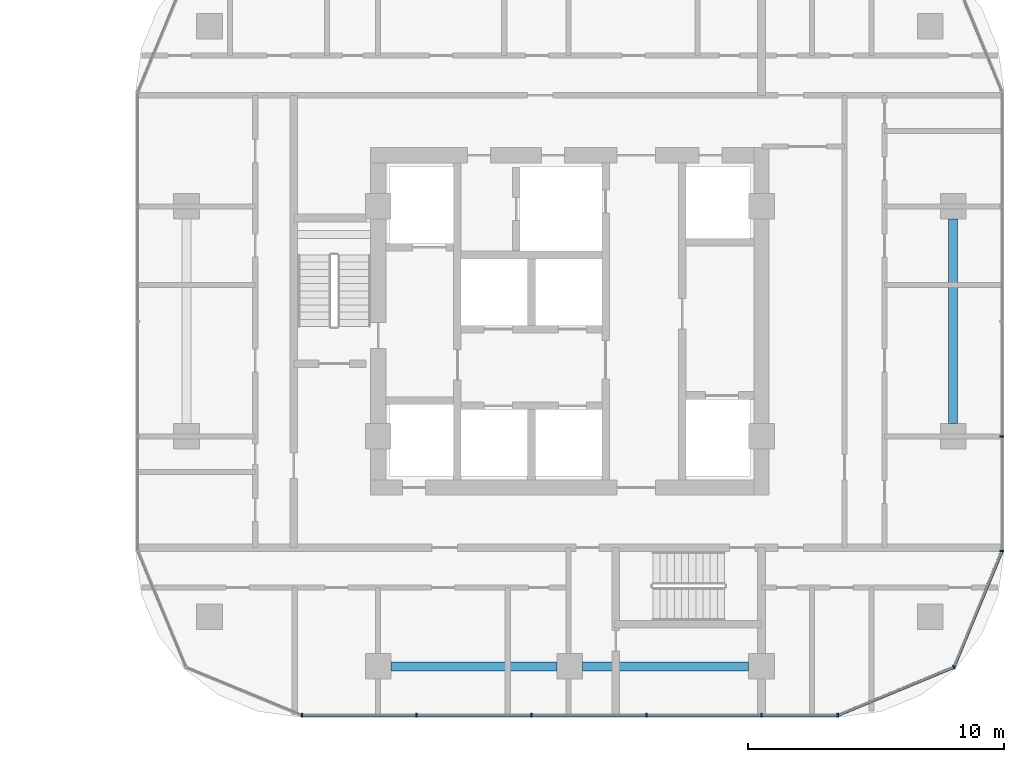
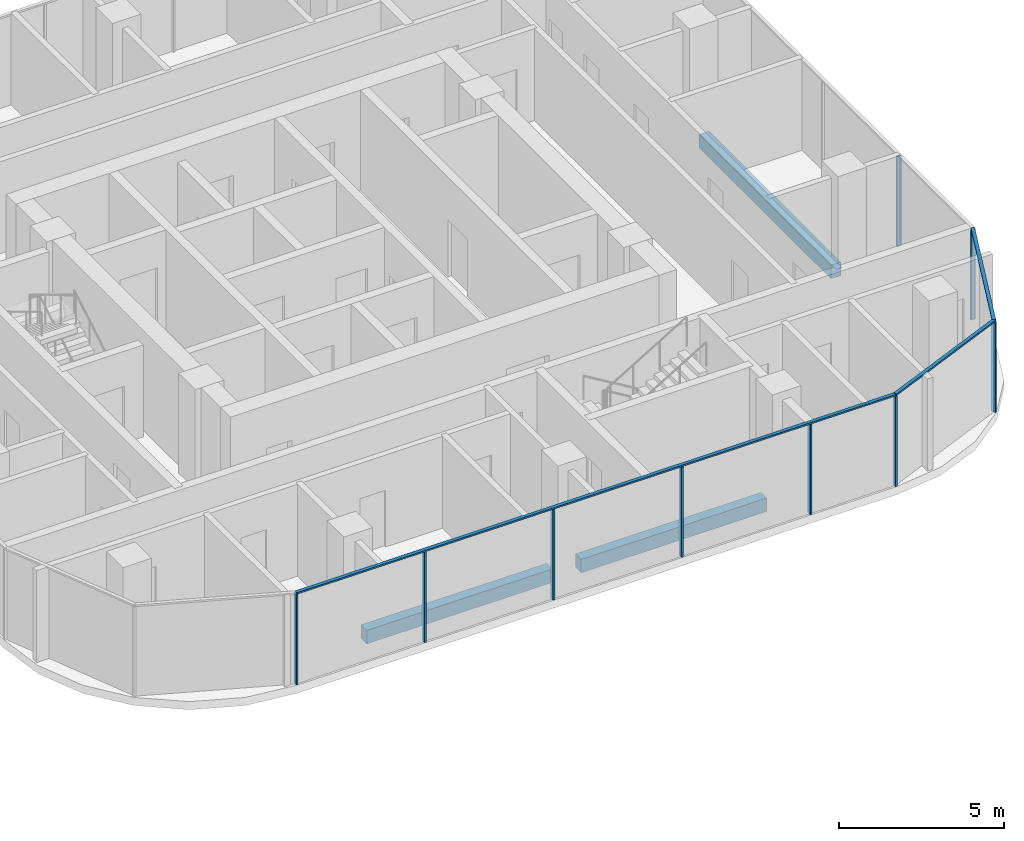
# One storey, part 10 of 32: 12 members, 3 beams, 3 elements without a shape of their own.
"""IFC4 building model written with IfcOpenShell, lengths in metres."""

from ifc_helpers import new_model, si_unit, direction, frame, origin, origin_2d, place, context, subcontext, project, spatial, rectangle, extrude, material, material_profile, profile_set, type_object, element, aggregate, save


model = new_model("IFC4")

# Units and contexts
model_context = context("Model", 3, precision=1e-05, world=origin(), true_north=direction((0.0, 1.0)))
body_context = subcontext(model_context, "Body", "Model", "MODEL_VIEW")
ifc_project = project(units=[si_unit("LENGTHUNIT", "METRE"), si_unit("AREAUNIT", "SQUARE_METRE"), si_unit("VOLUMEUNIT", "CUBIC_METRE"), si_unit("PLANEANGLEUNIT", "RADIAN"), si_unit("MASSUNIT", "GRAM", prefix="KILO")], contexts=[model_context])

# Site, building, storey
site_placement = place(None, origin())
site = spatial("IfcSite", under=ifc_project, at=site_placement, CompositionType="ELEMENT")
building_placement = place(site_placement, origin())
building = spatial("IfcBuilding", under=site, at=building_placement, Name="Ogive Portal Towers", CompositionType="ELEMENT")
storey_placement = place(building_placement, frame((0.0, 0.0, 55.699951171875)))
storey = spatial("IfcBuildingStorey", under=building, at=storey_placement, Name="L12", CompositionType="ELEMENT", Elevation=55.699951171875)

# Curtain wall, members
ifc_material_1 = material(Name="Glass, clear low-iron insulated glazing", Category="glass")
curtain_wall_type = type_object("IfcCurtainWallType", Name="CW RESIDENCES RIBBON", PredefinedType="NOTDEFINED", material=ifc_material_1)
curtain_wall_1_placement = place(storey_placement, origin())
curtain_wall_1 = element("IfcCurtainWall", 1, at=curtain_wall_1_placement, inside=storey, type_object=curtain_wall_type, Name="B:L12:f02:cw0", PredefinedType="NOTDEFINED")
ifc_material_2 = material(Name="Aluminium 6063 anodised", Category="aluminium")
ifc_material_profile_1 = material_profile(ifc_material_2, rectangle(XDim=0.159912109375, YDim=0.06005859375, at=origin_2d()), Name="AL 60x160")
ifc_profile_set_1 = profile_set([ifc_material_profile_1], Name="Aluminium 6063 anodised")
member_type_1 = type_object("IfcMemberType", Name="CW MULLION 60x160", PredefinedType="MULLION", material=ifc_profile_set_1)
member_1_placement = place(storey_placement, frame((126.015869140625, 15.590087890625, 0.0), z_axis=(0.0, 0.0, 1.0), x_axis=(0.0, 1.0, 0.0)))
member_1 = element("IfcMember", 2, at=member_1_placement, type_object=member_type_1, Name="mullion", PredefinedType="MULLION", context=body_context, shape_type="SweptSolid", body=[
    extrude(rectangle(XDim=0.159912109375, YDim=0.06005859375, at=origin_2d()), origin(), (0.0, 0.0, 1.0), 3.340087890625),
])
member_2_placement = place(storey_placement, frame((130.5, 15.590087890625, 0.0), z_axis=(0.0, 0.0, 1.0), x_axis=(0.0, 1.0, 0.0)))
member_2 = element("IfcMember", 3, at=member_2_placement, type_object=member_type_1, Name="mullion", PredefinedType="MULLION", context=body_context, shape_type="SweptSolid", body=[
    extrude(rectangle(XDim=0.159912109375, YDim=0.06005859375, at=origin_2d()), origin(), (0.0, 0.0, 1.0), 3.340087890625),
])
member_3_placement = place(storey_placement, frame((135.0, 15.590087890625, 0.0), z_axis=(0.0, 0.0, 1.0), x_axis=(0.0, 1.0, 0.0)))
member_3 = element("IfcMember", 4, at=member_3_placement, type_object=member_type_1, Name="mullion", PredefinedType="MULLION", context=body_context, shape_type="SweptSolid", body=[
    extrude(rectangle(XDim=0.159912109375, YDim=0.06005859375, at=origin_2d()), origin(), (0.0, 0.0, 1.0), 3.340087890625),
])
member_4_placement = place(storey_placement, frame((139.5, 15.590087890625, 0.0), z_axis=(0.0, 0.0, 1.0), x_axis=(0.0, 1.0, 0.0)))
member_4 = element("IfcMember", 5, at=member_4_placement, type_object=member_type_1, Name="mullion", PredefinedType="MULLION", context=body_context, shape_type="SweptSolid", body=[
    extrude(rectangle(XDim=0.159912109375, YDim=0.06005859375, at=origin_2d()), origin(), (0.0, 0.0, 1.0), 3.340087890625),
])
member_5_placement = place(storey_placement, frame((144.0, 15.590087890625, 0.0), z_axis=(0.0, 0.0, 1.0), x_axis=(0.0, 1.0, 0.0)))
member_5 = element("IfcMember", 6, at=member_5_placement, type_object=member_type_1, Name="mullion", PredefinedType="MULLION", context=body_context, shape_type="SweptSolid", body=[
    extrude(rectangle(XDim=0.159912109375, YDim=0.06005859375, at=origin_2d()), origin(), (0.0, 0.0, 1.0), 3.340087890625),
])
member_6_placement = place(storey_placement, frame((146.984130859375, 15.590087890625, 0.0), z_axis=(0.0, 0.0, 1.0), x_axis=(0.0, 1.0, 0.0)))
member_6 = element("IfcMember", 7, at=member_6_placement, type_object=member_type_1, Name="mullion", PredefinedType="MULLION", context=body_context, shape_type="SweptSolid", body=[
    extrude(rectangle(XDim=0.159912109375, YDim=0.06005859375, at=origin_2d()), origin(), (0.0, 0.0, 1.0), 3.340087890625),
])

curtain_wall_2_placement = place(storey_placement, origin())
curtain_wall_2 = element("IfcCurtainWall", 8, at=curtain_wall_2_placement, inside=storey, type_object=curtain_wall_type, Name="B:L12:f05:cw0", PredefinedType="NOTDEFINED")
member_7_placement = place(storey_placement, frame((153.409912109375, 22.015869140625, 0.0), z_axis=(0.0, 0.0, 1.0), x_axis=(-1.0, 0.0, 0.0)))
member_7 = element("IfcMember", 9, at=member_7_placement, type_object=member_type_1, Name="mullion", PredefinedType="MULLION", context=body_context, shape_type="SweptSolid", body=[
    extrude(rectangle(XDim=0.159912109375, YDim=0.06005859375, at=origin_2d()), origin(), (0.0, 0.0, 1.0), 3.340087890625),
])
member_8_placement = place(storey_placement, frame((153.409912109375, 26.5, 0.0), z_axis=(0.0, 0.0, 1.0), x_axis=(-1.0, 0.0, 0.0)))
member_8 = element("IfcMember", 10, at=member_8_placement, type_object=member_type_1, Name="mullion", PredefinedType="MULLION", context=body_context, shape_type="SweptSolid", body=[
    extrude(rectangle(XDim=0.159912109375, YDim=0.06005859375, at=origin_2d()), origin(), (0.0, 0.0, 1.0), 3.340087890625),
])
aggregate(curtain_wall_2, [member_7, member_8])

# Curtain wall, member
curtain_wall_3_placement = place(storey_placement, origin())
curtain_wall_3 = element("IfcCurtainWall", 11, at=curtain_wall_3_placement, inside=storey, type_object=curtain_wall_type, Name="B:L12:f03:cwa", PredefinedType="NOTDEFINED")
member_9_placement = place(storey_placement, frame((151.52783203125, 17.47216796875, 0.0), z_axis=(0.0, 0.0, 1.0), x_axis=(-0.382683432365, 0.923879532511, 0.0)))
member_9 = element("IfcMember", 12, at=member_9_placement, type_object=member_type_1, Name="mullion", PredefinedType="MULLION", context=body_context, shape_type="SweptSolid", body=[
    extrude(rectangle(XDim=0.159912109375, YDim=0.06005859375, at=origin_2d()), origin(), (0.0, 0.0, 1.0), 3.340087890625),
])

# Member
ifc_material_profile_2 = material_profile(ifc_material_2, rectangle(XDim=0.1201171875, YDim=0.06005859375, at=origin_2d()), Name="AL 120x60")
ifc_profile_set_2 = profile_set([ifc_material_profile_2], Name="Aluminium 6063 anodised")
member_type_2 = type_object("IfcMemberType", Name="CW TRANSOM 60x120", PredefinedType="USERDEFINED", material=ifc_profile_set_2)
member_10_placement = place(storey_placement, frame((126.015869140625, 15.590087890625, 3.3701171875), z_axis=(1.0, 0.0, 0.0), x_axis=(0.0, 1.0, 0.0)))
member_10 = element("IfcMember", 13, at=member_10_placement, type_object=member_type_2, Name="transom", ObjectType="TRANSOM", PredefinedType="USERDEFINED", context=body_context, shape_type="SweptSolid", body=[
    extrude(rectangle(XDim=0.1201171875, YDim=0.06005859375, at=origin_2d()), origin(), (0.0, 0.0, 1.0), 20.96826171875),
])

aggregate(curtain_wall_1, [member_10, member_1, member_2, member_3, member_4, member_5, member_6])

member_11_placement = place(storey_placement, frame((146.984130859375, 15.590087890625, 3.3701171875), z_axis=(0.923878279534, 0.382686457306, 0.0), x_axis=(-0.382686457306, 0.923878279534, 0.0)))
member_11 = element("IfcMember", 14, at=member_11_placement, type_object=member_type_2, Name="transom", ObjectType="TRANSOM", PredefinedType="USERDEFINED", context=body_context, shape_type="SweptSolid", body=[
    extrude(rectangle(XDim=0.1201171875, YDim=0.06005859375, at=origin_2d()), origin(), (0.0, 0.0, 1.0), 4.91796875),
])

member_12_placement = place(storey_placement, frame((151.52783203125, 17.47216796875, 3.3701171875), z_axis=(0.382686457306, 0.923878279534, 0.0), x_axis=(-0.923878279534, 0.382686457306, 0.0)))
member_12 = element("IfcMember", 15, at=member_12_placement, type_object=member_type_2, Name="transom", ObjectType="TRANSOM", PredefinedType="USERDEFINED", context=body_context, shape_type="SweptSolid", body=[
    extrude(rectangle(XDim=0.1201171875, YDim=0.06005859375, at=origin_2d()), origin(), (0.0, 0.0, 1.0), 4.91796875),
])

aggregate(curtain_wall_3, [member_11, member_12, member_9])

# Beams
ifc_material_3 = material(Name="Concrete C50/60", Category="concrete")
ifc_material_profile_3 = material_profile(ifc_material_3, rectangle(XDim=0.35009765625, YDim=0.5, at=origin_2d()), Name="RC 350x500")
ifc_profile_set_3 = profile_set([ifc_material_profile_3], Name="Concrete C50/60")
beam_type = type_object("IfcBeamType", Name="SPANDREL BEAM RC 350x500", PredefinedType="BEAM", material=ifc_profile_set_3)
for number, where, z_axis, x_axis, name in (
    (16, (129.5, 17.5, -0.550048828125), (1.0, 0.0, 0.0), (0.0, 1.0, 0.0), "Spandrel beam L12"),
    (17, (137.0, 17.5, -0.550048828125), (1.0, 0.0, 0.0), (0.0, 1.0, 0.0), "Spandrel beam L12"),
):
    element("IfcBeam", number, at=place(storey_placement, frame(where, z_axis=z_axis, x_axis=x_axis)), inside=storey, type_object=beam_type, Name=name, PredefinedType="BEAM", context=body_context, shape_type="SweptSolid", body=[
        extrude(rectangle(XDim=0.35009765625, YDim=0.5, at=origin_2d()), origin(), (0.0, 0.0, 1.0), 6.5),
    ])
beam_placement = place(storey_placement, frame((151.5, 27.0, -0.550048828125), z_axis=(0.0, 1.0, 0.0), x_axis=(-1.0, 0.0, 0.0)))
element("IfcBeam", 18, at=beam_placement, inside=storey, type_object=beam_type, Name="Spandrel beam L12", PredefinedType="BEAM", context=body_context, shape_type="SweptSolid", body=[
    extrude(rectangle(XDim=0.35009765625, YDim=0.5, at=origin_2d()), origin(), (0.0, 0.0, 1.0), 8.0),
])

save(model, "model.ifc")
